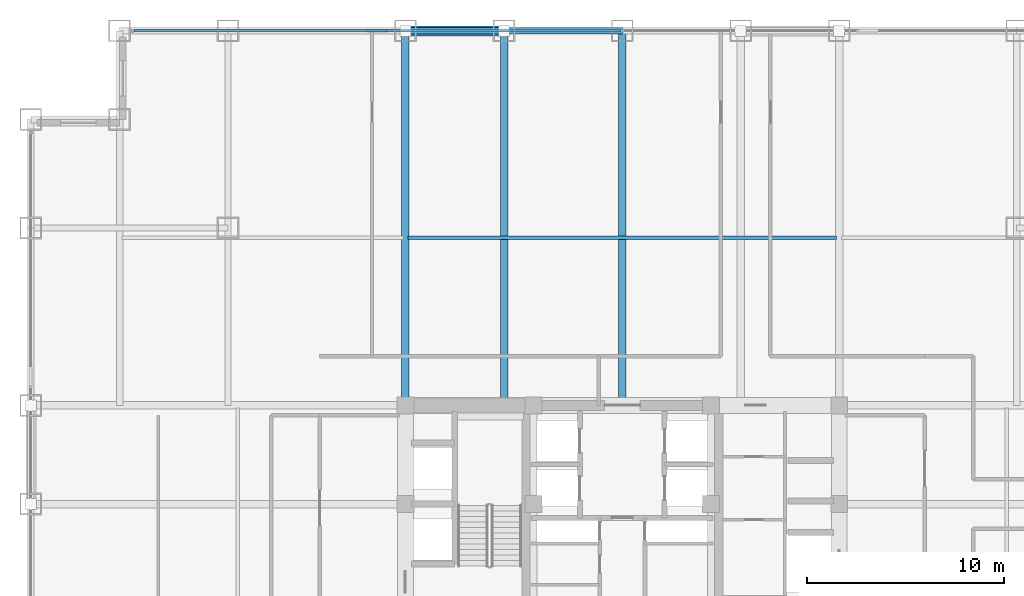
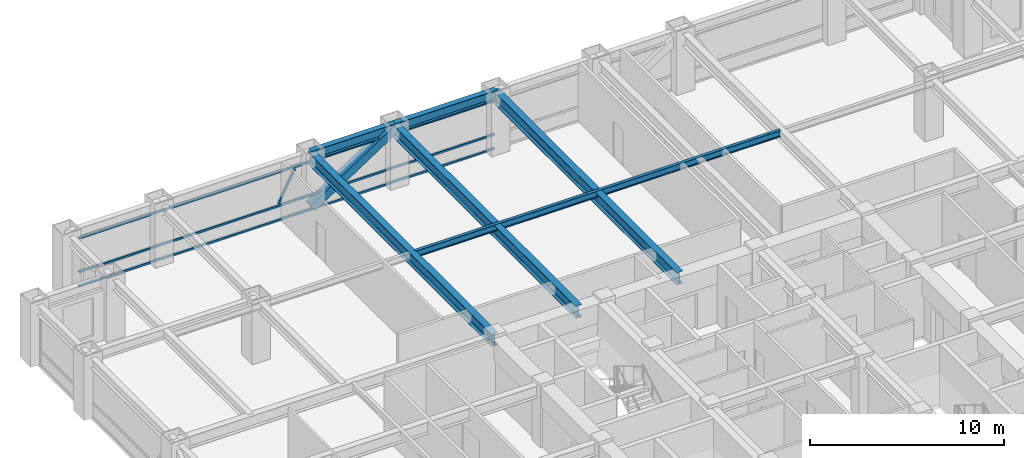
# One storey, part 15 of 24: 6 beams, 5 members, 1 element without a shape of its own.
"""IFC4 building model written with IfcOpenShell, lengths in metres."""

from ifc_helpers import new_model, si_unit, direction, frame, origin, origin_2d, place, context, subcontext, project, spatial, hollow_rectangle, i_section, extrude, source, transform, mapped, material, material_profile, profile_set, type_object, element, aggregate, save


model = new_model("IFC4")

# Units and contexts
model_context = context("Model", 3, precision=1e-05, world=origin(), true_north=direction((0.0, 1.0)))
body_context = subcontext(model_context, "Body", "Model", "MODEL_VIEW")
ifc_project = project(units=[si_unit("LENGTHUNIT", "METRE"), si_unit("AREAUNIT", "SQUARE_METRE"), si_unit("VOLUMEUNIT", "CUBIC_METRE"), si_unit("PLANEANGLEUNIT", "RADIAN"), si_unit("MASSUNIT", "GRAM", prefix="KILO")], contexts=[model_context])

# Site, building, storey
site_placement = place(None, origin())
site = spatial("IfcSite", under=ifc_project, at=site_placement, CompositionType="ELEMENT")
building_placement = place(site_placement, origin())
building = spatial("IfcBuilding", under=site, at=building_placement, Name="Khorayat Bourse Tower", CompositionType="ELEMENT")
storey_placement = place(building_placement, frame((0.0, 0.0, 175.10009765625)))
storey = spatial("IfcBuildingStorey", under=building, at=storey_placement, Name="L40", CompositionType="ELEMENT", Elevation=175.10009765625)

# Beams
ifc_material_1 = material(Name="Steel ASTM A992 Grade 50", Category="steel")
ifc_material_profile_1 = material_profile(ifc_material_1, i_section(OverallWidth=0.381103515625, OverallDepth=0.77294921875, WebThickness=0.0166015625, FlangeThickness=0.027587890625, FilletRadius=0.01806640625, at=origin_2d()), Name="W760X257")
ifc_profile_set_1 = profile_set([ifc_material_profile_1], Name="Steel ASTM A992 Grade 50")
beam_type_1 = type_object("IfcBeamType", Name="BM-GIRD-760", PredefinedType="BEAM", material=ifc_profile_set_1)
shared_shape_1 = source(origin(), body_context, "Body", "SweptSolid", [
    extrude(i_section(OverallWidth=0.381103515625, OverallDepth=0.77294921875, WebThickness=0.0166015625, FlangeThickness=0.027587890625, FilletRadius=0.01806640625, at=origin_2d()), origin(), (0.0, 0.0, 1.0), 19.0),
])
for number, where, z_axis, x_axis, name in (
    (1, (-11.0, 11.0, 3.393310546875), (0.0, 1.0, 0.0), (-1.0, 0.0, 0.0), "L40 BM-GIRD-760 BM-L40-RADY-064"),
    (2, (-6.0, 11.0, 3.393310546875), (0.0, 1.0, 0.0), (-1.0, 0.0, 0.0), "L40 BM-GIRD-760 BM-L40-RADY-066"),
    (3, (0.0, 11.0, 3.393310546875), (0.0, 1.0, 0.0), (-1.0, 0.0, 0.0), "L40 BM-GIRD-760 BM-L40-RADY-068"),
):
    element("IfcBeam", number, at=place(storey_placement, frame(where, z_axis=z_axis, x_axis=x_axis)), inside=storey, type_object=beam_type_1, Name=name, PredefinedType="BEAM", context=body_context, shape_type="MappedRepresentation", body=[
        mapped(shared_shape_1, transform((0.0, 0.0, 0.0), scale=1.0)),
    ])
ifc_material_profile_2 = material_profile(ifc_material_1, i_section(OverallWidth=0.180908203125, OverallDepth=0.4169921875, WebThickness=0.010986328125, FlangeThickness=0.018310546875, FilletRadius=0.011962890625, at=origin_2d()), Name="W410X85")
ifc_profile_set_2 = profile_set([ifc_material_profile_2], Name="Steel ASTM A992 Grade 50")
beam_type_2 = type_object("IfcBeamType", Name="BM-JOIST-410", PredefinedType="JOIST", material=ifc_profile_set_2)
shared_shape_2 = source(origin(), body_context, "Body", "SweptSolid", [
    extrude(i_section(OverallWidth=0.180908203125, OverallDepth=0.4169921875, WebThickness=0.010986328125, FlangeThickness=0.018310546875, FilletRadius=0.011962890625, at=origin_2d()), origin(), (0.0, 0.0, 1.0), 21.740234375),
])
beam_1_placement = place(storey_placement, frame((-10.8701171875, 19.5, 3.5712890625), z_axis=(1.0, 0.0, 0.0), x_axis=(0.0, 1.0, 0.0)))
element("IfcBeam", 4, at=beam_1_placement, inside=storey, type_object=beam_type_2, Name="L40 BM-JOIST-410 BM-L40-JSTX-100", PredefinedType="JOIST", context=body_context, shape_type="MappedRepresentation", body=[
    mapped(shared_shape_2, transform((0.0, 0.0, 0.0), scale=1.0)),
])
ifc_material_profile_3 = material_profile(ifc_material_1, i_section(OverallWidth=0.324951171875, OverallDepth=0.615966796875, WebThickness=0.013916015625, FlangeThickness=0.021484375, FilletRadius=0.01611328125, at=origin_2d()), Name="W610X174")
ifc_profile_set_3 = profile_set([ifc_material_profile_3], Name="Steel ASTM A992 Grade 50")
beam_type_3 = type_object("IfcBeamType", Name="BM-SPAN-610", PredefinedType="SPANDREL", material=ifc_profile_set_3)
shared_shape_3 = source(origin(), body_context, "Body", "SweptSolid", [
    extrude(i_section(OverallWidth=0.324951171875, OverallDepth=0.615966796875, WebThickness=0.013916015625, FlangeThickness=0.021484375, FilletRadius=0.01611328125, at=origin_2d()), origin(), (0.0, 0.0, 1.0), 5.0),
])
beam_2_placement = place(storey_placement, frame((-11.0, 30.0, 3.471923828125), z_axis=(1.0, 0.0, 0.0), x_axis=(0.0, 1.0, 0.0)))
element("IfcBeam", 5, at=beam_2_placement, inside=storey, type_object=beam_type_3, Name="L40 BM-SPAN-610 BM-L40-SPN-049", PredefinedType="SPANDREL", context=body_context, shape_type="MappedRepresentation", body=[
    mapped(shared_shape_3, transform((0.0, 0.0, 0.0), scale=1.0)),
])
shared_shape_4 = source(origin(), body_context, "Body", "SweptSolid", [
    extrude(i_section(OverallWidth=0.324951171875, OverallDepth=0.615966796875, WebThickness=0.013916015625, FlangeThickness=0.021484375, FilletRadius=0.01611328125, at=origin_2d()), origin(), (0.0, 0.0, 1.0), 6.0),
])
beam_3_placement = place(storey_placement, frame((-6.0, 30.0, 3.471923828125), z_axis=(1.0, 0.0, 0.0), x_axis=(0.0, 1.0, 0.0)))
element("IfcBeam", 6, at=beam_3_placement, inside=storey, type_object=beam_type_3, Name="L40 BM-SPAN-610 BM-L40-SPN-048", PredefinedType="SPANDREL", context=body_context, shape_type="MappedRepresentation", body=[
    mapped(shared_shape_4, transform((0.0, 0.0, 0.0), scale=1.0)),
])

# Member
ifc_material_2 = material(Name="Steel EN 10025-4 S460M", Category="steel")
ifc_material_profile_4 = material_profile(ifc_material_2, hollow_rectangle(XDim=0.5, YDim=0.5, WallThickness=0.028076171875, at=origin_2d()), Name="HSS 500x500x28")
ifc_profile_set_4 = profile_set([ifc_material_profile_4], Name="Steel EN 10025-4 S460M")
member_type_1 = type_object("IfcMemberType", Name="MBR-TUBE-500", PredefinedType="BRACE", material=ifc_profile_set_4)
shared_shape_5 = source(origin(), body_context, "Body", "SweptSolid", [
    extrude(hollow_rectangle(XDim=0.5, YDim=0.5, WallThickness=0.028076171875, at=origin_2d()), origin(), (0.0, 0.0, 1.0), 5.979736328125),
])
member_1_placement = place(storey_placement, frame((-11.0, 30.0, 0.25), z_axis=(0.836160261256, 0.0, 0.548485202623), x_axis=(0.0, 1.0, 0.0)))
element("IfcMember", 7, at=member_1_placement, inside=storey, type_object=member_type_1, Name="L40 Perimeter Tube Brace 03", PredefinedType="BRACE", context=body_context, shape_type="MappedRepresentation", body=[
    mapped(shared_shape_5, transform((0.0, 0.0, 0.0), scale=1.0)),
])

# Curtain wall, members
ifc_material_3 = material(Name="Aluminium EN AW-6063 T6", Category="aluminium")
curtain_wall_type = type_object("IfcCurtainWallType", Name="CW-SYS-03", PredefinedType="NOTDEFINED", material=ifc_material_3)
curtain_wall_placement = place(storey_placement, origin())
curtain_wall = element("IfcCurtainWall", 8, at=curtain_wall_placement, inside=storey, type_object=curtain_wall_type, Name="L40 Curtain Wall CW-L40-N1", PredefinedType="NOTDEFINED")
ifc_material_profile_5 = material_profile(ifc_material_3, hollow_rectangle(XDim=0.1201171875, YDim=0.1201171875, WallThickness=0.0048828125, at=origin_2d()), Name="ALU 120x120x5")
ifc_profile_set_5 = profile_set([ifc_material_profile_5], Name="Aluminium EN AW-6063 T6")
member_type_2 = type_object("IfcMemberType", Name="CWM-DIAG-120", PredefinedType="MULLION", material=ifc_profile_set_5)
shared_shape_6 = source(origin(), body_context, "Body", "SweptSolid", [
    extrude(hollow_rectangle(XDim=0.1201171875, YDim=0.1201171875, WallThickness=0.0048828125, at=origin_2d()), origin(), (0.0, 0.0, 1.0), 2.079345703125),
])
member_2_placement = place(storey_placement, frame((-12.904296875, 30.0, 1.08984375), z_axis=(0.465760949701, 0.0, 0.884910581773), x_axis=(0.0, 1.0, 0.0)))
member_2 = element("IfcMember", 9, at=member_2_placement, type_object=member_type_2, Name="CW-L40-N1 Faceted Diagonal Mullion 1", PredefinedType="MULLION", context=body_context, shape_type="MappedRepresentation", body=[
    mapped(shared_shape_6, transform((0.0, 0.0, 0.0), scale=1.0)),
])
ifc_material_profile_6 = material_profile(ifc_material_3, hollow_rectangle(XDim=0.1201171875, YDim=0.1201171875, WallThickness=0.0048828125, at=origin_2d()), Name="ALU 120x120x5")
ifc_profile_set_6 = profile_set([ifc_material_profile_6], Name="Aluminium EN AW-6063 T6")
member_type_3 = type_object("IfcMemberType", Name="CWT-HORZ-120", PredefinedType="USERDEFINED", material=ifc_profile_set_6)
shared_shape_7 = source(origin(), body_context, "Body", "SweptSolid", [
    extrude(hollow_rectangle(XDim=0.1201171875, YDim=0.1201171875, WallThickness=0.0048828125, at=origin_2d()), origin(), (0.0, 0.0, 1.0), 24.719970703125),
])
member_3_placement = place(storey_placement, frame((-24.780029296875, 30.0, 0.059814453125), z_axis=(1.0, 0.0, 0.0), x_axis=(0.0, 1.0, 0.0)))
member_3 = element("IfcMember", 10, at=member_3_placement, type_object=member_type_3, Name="CW-L40-N1 Horizontal Transom 1-1", ObjectType="TRANSOM", PredefinedType="USERDEFINED", context=body_context, shape_type="MappedRepresentation", body=[
    mapped(shared_shape_7, transform((0.0, 0.0, 0.0), scale=1.0)),
])
member_4_placement = place(storey_placement, frame((-24.780029296875, 30.0, 0.949951171875), z_axis=(1.0, 0.0, 0.0), x_axis=(0.0, 1.0, 0.0)))
member_4 = element("IfcMember", 11, at=member_4_placement, type_object=member_type_3, Name="CW-L40-N1 Horizontal Transom 1-2", ObjectType="TRANSOM", PredefinedType="USERDEFINED", context=body_context, shape_type="MappedRepresentation", body=[
    mapped(shared_shape_7, transform((0.0, 0.0, 0.0), scale=1.0)),
])
member_5_placement = place(storey_placement, frame((-24.780029296875, 30.0, 3.06982421875), z_axis=(1.0, 0.0, 0.0), x_axis=(0.0, 1.0, 0.0)))
member_5 = element("IfcMember", 12, at=member_5_placement, type_object=member_type_3, Name="CW-L40-N1 Horizontal Transom 1-3", ObjectType="TRANSOM", PredefinedType="USERDEFINED", context=body_context, shape_type="MappedRepresentation", body=[
    mapped(shared_shape_7, transform((0.0, 0.0, 0.0), scale=1.0)),
])
aggregate(curtain_wall, [member_3, member_4, member_5, member_2])

save(model, "model.ifc")
